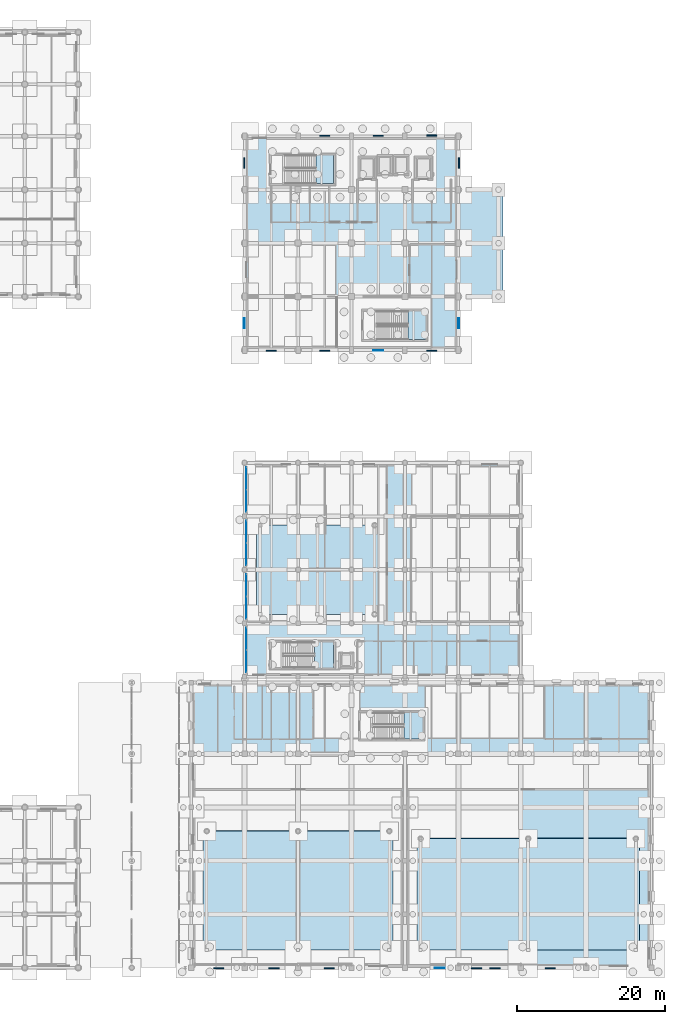
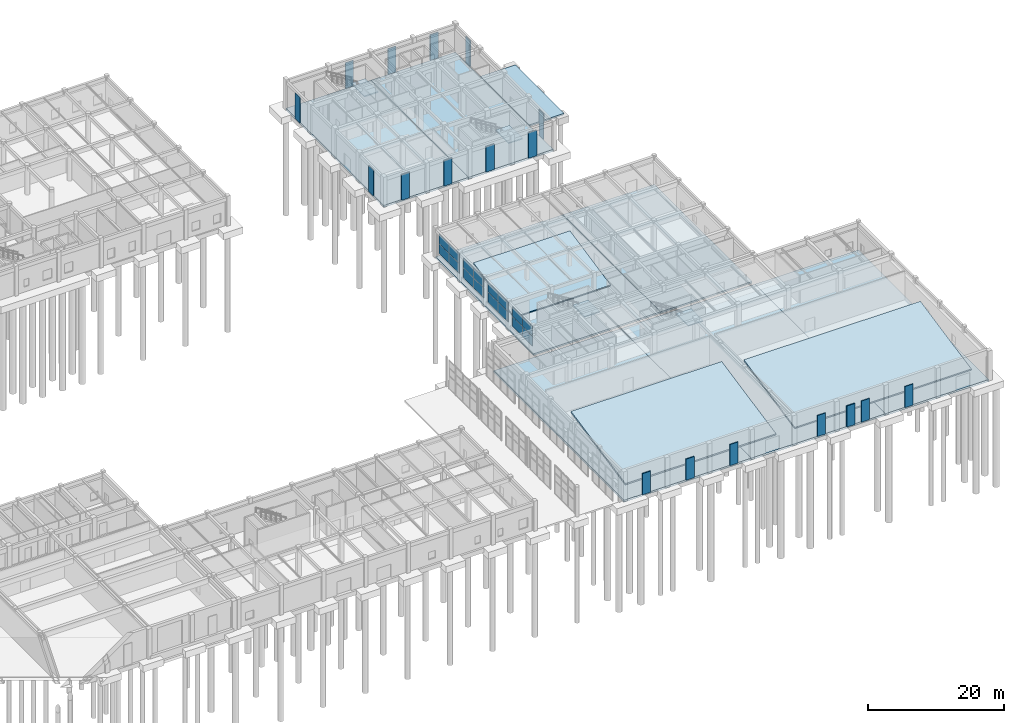
# One storey, part 60 of 91: 34 plates, 15 slabs, 8 elements without a shape of their own.
"""IFC4 building model written with IfcOpenShell, lengths in metres."""

from ifc_helpers import new_model, si_unit, direction, frame, origin, origin_2d, place, context, subcontext, project, spatial, polyline, rectangle, outline, extrude, material, layer, layer_set, type_object, element, aggregate, save


model = new_model("IFC4")

# Units and contexts
model_context = context("Model", 3, precision=1e-05, world=origin(), true_north=direction((0.0, 1.0)))
body_context = subcontext(model_context, "Body", "Model", "MODEL_VIEW")
ifc_project = project(units=[si_unit("LENGTHUNIT", "METRE"), si_unit("AREAUNIT", "SQUARE_METRE"), si_unit("VOLUMEUNIT", "CUBIC_METRE"), si_unit("PLANEANGLEUNIT", "RADIAN"), si_unit("MASSUNIT", "GRAM", prefix="KILO")], contexts=[model_context])

# Site, building, storey
site_placement = place(None, origin())
site = spatial("IfcSite", under=ifc_project, at=site_placement, CompositionType="ELEMENT")
building_placement = place(site_placement, origin())
building = spatial("IfcBuilding", under=site, at=building_placement, Name="Bramveld Media Centre", CompositionType="ELEMENT")
storey_placement = place(building_placement, origin())
storey = spatial("IfcBuildingStorey", under=building, at=storey_placement, Name="L00", CompositionType="ELEMENT", Elevation=0.0)

# Curtain wall, plates
ifc_material_1 = material(Name="Thermally broken anodized bronze aluminium unitized curtain wall with solar-control triple glazing", Category="aluminium")
curtain_wall_type = type_object("IfcCurtainWallType", Name="CW-FACV4-6100x3690", PredefinedType="NOTDEFINED", material=ifc_material_1)
curtain_wall_1_placement = place(storey_placement, origin())
curtain_wall_1 = element("IfcCurtainWall", 1, at=curtain_wall_1_placement, inside=storey, type_object=curtain_wall_type, Name="V4 L00 W curtain wall bay 1", PredefinedType="NOTDEFINED")
ifc_material_2 = material(Name="Solar-control triple insulating safety glass unit", Category="glass")
ifc_layer_1 = layer(ifc_material_2, 0.028076171875)
ifc_layer_set_1 = layer_set([ifc_layer_1], Name="Solar-control triple insulating safety glass unit")
plate_type_1 = type_object("IfcPlateType", Name="CW-PAN-EXT", PredefinedType="CURTAIN_PANEL", material=ifc_layer_set_1)
plate_1_placement = place(storey_placement, frame((131.429931640625, 41.2900390625, 0.91015625), z_axis=(0.0, 0.0, 1.0), x_axis=(0.0, 1.0, 0.0)))
plate_1 = element("IfcPlate", 2, at=plate_1_placement, type_object=plate_type_1, Name="CW-FA-6136 panel 1.1", PredefinedType="CURTAIN_PANEL", context=body_context, shape_type="SweptSolid", body=[
    extrude(rectangle(XDim=2.9599609375, YDim=0.028076171875, at=origin_2d()), origin(), (0.0, 0.0, 1.0), 1.7548828125),
])
plate_2_placement = place(storey_placement, frame((131.429931640625, 41.2900390625, 2.72509765625), z_axis=(0.0, 0.0, 1.0), x_axis=(0.0, 1.0, 0.0)))
plate_2 = element("IfcPlate", 3, at=plate_2_placement, type_object=plate_type_1, Name="CW-FA-6136 panel 1.2", PredefinedType="CURTAIN_PANEL", context=body_context, shape_type="SweptSolid", body=[
    extrude(rectangle(XDim=2.9599609375, YDim=0.028076171875, at=origin_2d()), origin(), (0.0, 0.0, 1.0), 1.7548828125),
])
plate_3_placement = place(storey_placement, frame((131.429931640625, 44.31005859375, 0.91015625), z_axis=(0.0, 0.0, 1.0), x_axis=(0.0, 1.0, 0.0)))
plate_3 = element("IfcPlate", 4, at=plate_3_placement, type_object=plate_type_1, Name="CW-FA-6136 panel 2.1", PredefinedType="CURTAIN_PANEL", context=body_context, shape_type="SweptSolid", body=[
    extrude(rectangle(XDim=2.9599609375, YDim=0.028076171875, at=origin_2d()), origin(), (0.0, 0.0, 1.0), 1.7548828125),
])
plate_4_placement = place(storey_placement, frame((131.429931640625, 44.31005859375, 2.72509765625), z_axis=(0.0, 0.0, 1.0), x_axis=(0.0, 1.0, 0.0)))
plate_4 = element("IfcPlate", 5, at=plate_4_placement, type_object=plate_type_1, Name="CW-FA-6136 panel 2.2", PredefinedType="CURTAIN_PANEL", context=body_context, shape_type="SweptSolid", body=[
    extrude(rectangle(XDim=2.9599609375, YDim=0.028076171875, at=origin_2d()), origin(), (0.0, 0.0, 1.0), 1.7548828125),
])
aggregate(curtain_wall_1, [plate_1, plate_2, plate_3, plate_4])

curtain_wall_2_placement = place(storey_placement, origin())
curtain_wall_2 = element("IfcCurtainWall", 6, at=curtain_wall_2_placement, inside=storey, type_object=curtain_wall_type, Name="V4 L00 W curtain wall bay 2", PredefinedType="NOTDEFINED")
plate_5_placement = place(storey_placement, frame((131.429931640625, 48.489990234375, 0.91015625), z_axis=(0.0, 0.0, 1.0), x_axis=(0.0, 1.0, 0.0)))
plate_5 = element("IfcPlate", 7, at=plate_5_placement, type_object=plate_type_1, Name="CW-FA-6136 panel 1.1", PredefinedType="CURTAIN_PANEL", context=body_context, shape_type="SweptSolid", body=[
    extrude(rectangle(XDim=2.9599609375, YDim=0.028076171875, at=origin_2d()), origin(), (0.0, 0.0, 1.0), 1.7548828125),
])
plate_6_placement = place(storey_placement, frame((131.429931640625, 48.489990234375, 2.72509765625), z_axis=(0.0, 0.0, 1.0), x_axis=(0.0, 1.0, 0.0)))
plate_6 = element("IfcPlate", 8, at=plate_6_placement, type_object=plate_type_1, Name="CW-FA-6136 panel 1.2", PredefinedType="CURTAIN_PANEL", context=body_context, shape_type="SweptSolid", body=[
    extrude(rectangle(XDim=2.9599609375, YDim=0.028076171875, at=origin_2d()), origin(), (0.0, 0.0, 1.0), 1.7548828125),
])
plate_7_placement = place(storey_placement, frame((131.429931640625, 51.510009765625, 0.91015625), z_axis=(0.0, 0.0, 1.0), x_axis=(0.0, 1.0, 0.0)))
plate_7 = element("IfcPlate", 9, at=plate_7_placement, type_object=plate_type_1, Name="CW-FA-6136 panel 2.1", PredefinedType="CURTAIN_PANEL", context=body_context, shape_type="SweptSolid", body=[
    extrude(rectangle(XDim=2.9599609375, YDim=0.028076171875, at=origin_2d()), origin(), (0.0, 0.0, 1.0), 1.7548828125),
])
plate_8_placement = place(storey_placement, frame((131.429931640625, 51.510009765625, 2.72509765625), z_axis=(0.0, 0.0, 1.0), x_axis=(0.0, 1.0, 0.0)))
plate_8 = element("IfcPlate", 10, at=plate_8_placement, type_object=plate_type_1, Name="CW-FA-6136 panel 2.2", PredefinedType="CURTAIN_PANEL", context=body_context, shape_type="SweptSolid", body=[
    extrude(rectangle(XDim=2.9599609375, YDim=0.028076171875, at=origin_2d()), origin(), (0.0, 0.0, 1.0), 1.7548828125),
])
aggregate(curtain_wall_2, [plate_5, plate_6, plate_7, plate_8])

curtain_wall_3_placement = place(storey_placement, origin())
curtain_wall_3 = element("IfcCurtainWall", 11, at=curtain_wall_3_placement, inside=storey, type_object=curtain_wall_type, Name="V4 L00 W curtain wall bay 3", PredefinedType="NOTDEFINED")
plate_9_placement = place(storey_placement, frame((131.429931640625, 55.68994140625, 0.91015625), z_axis=(0.0, 0.0, 1.0), x_axis=(0.0, 1.0, 0.0)))
plate_9 = element("IfcPlate", 12, at=plate_9_placement, type_object=plate_type_1, Name="CW-FA-6136 panel 1.1", PredefinedType="CURTAIN_PANEL", context=body_context, shape_type="SweptSolid", body=[
    extrude(rectangle(XDim=2.9599609375, YDim=0.028076171875, at=origin_2d()), origin(), (0.0, 0.0, 1.0), 1.7548828125),
])
plate_10_placement = place(storey_placement, frame((131.429931640625, 55.68994140625, 2.72509765625), z_axis=(0.0, 0.0, 1.0), x_axis=(0.0, 1.0, 0.0)))
plate_10 = element("IfcPlate", 13, at=plate_10_placement, type_object=plate_type_1, Name="CW-FA-6136 panel 1.2", PredefinedType="CURTAIN_PANEL", context=body_context, shape_type="SweptSolid", body=[
    extrude(rectangle(XDim=2.9599609375, YDim=0.028076171875, at=origin_2d()), origin(), (0.0, 0.0, 1.0), 1.7548828125),
])
plate_11_placement = place(storey_placement, frame((131.429931640625, 58.7099609375, 0.91015625), z_axis=(0.0, 0.0, 1.0), x_axis=(0.0, 1.0, 0.0)))
plate_11 = element("IfcPlate", 14, at=plate_11_placement, type_object=plate_type_1, Name="CW-FA-6136 panel 2.1", PredefinedType="CURTAIN_PANEL", context=body_context, shape_type="SweptSolid", body=[
    extrude(rectangle(XDim=2.9599609375, YDim=0.028076171875, at=origin_2d()), origin(), (0.0, 0.0, 1.0), 1.7548828125),
])
plate_12_placement = place(storey_placement, frame((131.429931640625, 58.7099609375, 2.72509765625), z_axis=(0.0, 0.0, 1.0), x_axis=(0.0, 1.0, 0.0)))
plate_12 = element("IfcPlate", 15, at=plate_12_placement, type_object=plate_type_1, Name="CW-FA-6136 panel 2.2", PredefinedType="CURTAIN_PANEL", context=body_context, shape_type="SweptSolid", body=[
    extrude(rectangle(XDim=2.9599609375, YDim=0.028076171875, at=origin_2d()), origin(), (0.0, 0.0, 1.0), 1.7548828125),
])
aggregate(curtain_wall_3, [plate_9, plate_10, plate_11, plate_12])

curtain_wall_4_placement = place(storey_placement, origin())
curtain_wall_4 = element("IfcCurtainWall", 16, at=curtain_wall_4_placement, inside=storey, type_object=curtain_wall_type, Name="V4 L00 W curtain wall bay 4", PredefinedType="NOTDEFINED")
plate_13_placement = place(storey_placement, frame((131.429931640625, 62.889892578125, 0.91015625), z_axis=(0.0, 0.0, 1.0), x_axis=(0.0, 1.0, 0.0)))
plate_13 = element("IfcPlate", 17, at=plate_13_placement, type_object=plate_type_1, Name="CW-FA-6136 panel 1.1", PredefinedType="CURTAIN_PANEL", context=body_context, shape_type="SweptSolid", body=[
    extrude(rectangle(XDim=2.9599609375, YDim=0.028076171875, at=origin_2d()), origin(), (0.0, 0.0, 1.0), 1.7548828125),
])
plate_14_placement = place(storey_placement, frame((131.429931640625, 62.889892578125, 2.72509765625), z_axis=(0.0, 0.0, 1.0), x_axis=(0.0, 1.0, 0.0)))
plate_14 = element("IfcPlate", 18, at=plate_14_placement, type_object=plate_type_1, Name="CW-FA-6136 panel 1.2", PredefinedType="CURTAIN_PANEL", context=body_context, shape_type="SweptSolid", body=[
    extrude(rectangle(XDim=2.9599609375, YDim=0.028076171875, at=origin_2d()), origin(), (0.0, 0.0, 1.0), 1.7548828125),
])
plate_15_placement = place(storey_placement, frame((131.429931640625, 65.909912109375, 0.91015625), z_axis=(0.0, 0.0, 1.0), x_axis=(0.0, 1.0, 0.0)))
plate_15 = element("IfcPlate", 19, at=plate_15_placement, type_object=plate_type_1, Name="CW-FA-6136 panel 2.1", PredefinedType="CURTAIN_PANEL", context=body_context, shape_type="SweptSolid", body=[
    extrude(rectangle(XDim=2.9599609375, YDim=0.028076171875, at=origin_2d()), origin(), (0.0, 0.0, 1.0), 1.7548828125),
])
plate_16_placement = place(storey_placement, frame((131.429931640625, 65.909912109375, 2.72509765625), z_axis=(0.0, 0.0, 1.0), x_axis=(0.0, 1.0, 0.0)))
plate_16 = element("IfcPlate", 20, at=plate_16_placement, type_object=plate_type_1, Name="CW-FA-6136 panel 2.2", PredefinedType="CURTAIN_PANEL", context=body_context, shape_type="SweptSolid", body=[
    extrude(rectangle(XDim=2.9599609375, YDim=0.028076171875, at=origin_2d()), origin(), (0.0, 0.0, 1.0), 1.7548828125),
])
aggregate(curtain_wall_4, [plate_13, plate_14, plate_15, plate_16])

# Plates
ifc_material_3 = material(Name="Perforated Flemish red-brown clay brick claustra screen on stainless steel ties", Category="masonry")
ifc_layer_2 = layer(ifc_material_3, 0.114990234375)
ifc_layer_set_2 = layer_set([ifc_layer_2], Name="Perforated Flemish red-brown clay brick claustra screen on stainless steel ties")
plate_type_2 = type_object("IfcPlateType", Name="PLT-CLAUSTRA-115", PredefinedType="USERDEFINED", material=ifc_layer_set_2)
plate_17_placement = place(storey_placement, frame((157.47998046875, -0.03759765625, 0.0), z_axis=(0.0, 0.0, 1.0), x_axis=(1.0, 0.0, 0.0)))
element("IfcPlate", 21, at=plate_17_placement, inside=storey, type_object=plate_type_2, Name="Perforated Flemish brick claustra screen 4", ObjectType="CLAUSTRA_PANEL", PredefinedType="USERDEFINED", context=body_context, shape_type="SweptSolid", body=[
    extrude(rectangle(XDim=1.39208984375, YDim=0.114990234375, at=origin_2d()), origin(), (0.0, 0.0, 1.0), 3.800048828125),
])
for number, where, z_axis, x_axis, name in (
    (22, (149.199951171875, 83.142578125, 0.0), (0.0, 0.0, 1.0), (1.0, 0.0, 0.0), "Perforated Flemish brick claustra screen 16"),
    (23, (160.0576171875, 86.800048828125, 0.0), (0.0, 0.0, 1.0), (0.0, 1.0, 0.0), "Perforated Flemish brick claustra screen 20"),
    (24, (131.142578125, 86.800048828125, 0.0), (0.0, 0.0, 1.0), (0.0, 1.0, 0.0), "Perforated Flemish brick claustra screen 24"),
):
    element("IfcPlate", number, at=place(storey_placement, frame(where, z_axis=z_axis, x_axis=x_axis)), inside=storey, type_object=plate_type_2, Name=name, ObjectType="CLAUSTRA_PANEL", PredefinedType="USERDEFINED", context=body_context, shape_type="SweptSolid", body=[
        extrude(rectangle(XDim=1.39208984375, YDim=0.114990234375, at=origin_2d()), origin(), (0.0, 0.0, 1.0), 4.60009765625),
    ])
ifc_material_4 = material(Name="Perforated Flemish red-brown clay brick claustra screen on stainless steel ties", Category="masonry")
ifc_layer_3 = layer(ifc_material_4, 0.135009765625)
ifc_layer_set_3 = layer_set([ifc_layer_3], Name="Perforated Flemish red-brown clay brick claustra screen on stainless steel ties")
plate_type_3 = type_object("IfcPlateType", Name="PLT-CLAUSTRA-135", PredefinedType="USERDEFINED", material=ifc_layer_set_3)
for number, where, z_axis, x_axis, name in (
    (25, (172.360107421875, -0.047607421875, 0.0), (0.0, 0.0, 1.0), (1.0, 0.0, 0.0), "Perforated Flemish brick claustra screen 1"),
    (26, (142.60009765625, -0.047607421875, 0.0), (0.0, 0.0, 1.0), (1.0, 0.0, 0.0), "Perforated Flemish brick claustra screen 5"),
):
    element("IfcPlate", number, at=place(storey_placement, frame(where, z_axis=z_axis, x_axis=x_axis)), inside=storey, type_object=plate_type_3, Name=name, ObjectType="CLAUSTRA_PANEL", PredefinedType="USERDEFINED", context=body_context, shape_type="SweptSolid", body=[
        extrude(rectangle(XDim=1.39208984375, YDim=0.135009765625, at=origin_2d()), origin(), (0.0, 0.0, 1.0), 3.800048828125),
    ])
for number, where, z_axis, x_axis, name in (
    (27, (142.0, 83.132568359375, 0.0), (0.0, 0.0, 1.0), (1.0, 0.0, 0.0), "Perforated Flemish brick claustra screen 17"),
    (28, (142.0, 112.0673828125, 0.0), (0.0, 0.0, 1.0), (1.0, 0.0, 0.0), "Perforated Flemish brick claustra screen 21"),
    (29, (131.132568359375, 108.39990234375, 0.0), (0.0, 0.0, 1.0), (0.0, 1.0, 0.0), "Perforated Flemish brick claustra screen 25"),
):
    element("IfcPlate", number, at=place(storey_placement, frame(where, z_axis=z_axis, x_axis=x_axis)), inside=storey, type_object=plate_type_3, Name=name, ObjectType="CLAUSTRA_PANEL", PredefinedType="USERDEFINED", context=body_context, shape_type="SweptSolid", body=[
        extrude(rectangle(XDim=1.39208984375, YDim=0.135009765625, at=origin_2d()), origin(), (0.0, 0.0, 1.0), 4.60009765625),
    ])
ifc_material_5 = material(Name="Perforated Flemish red-brown clay brick claustra screen on stainless steel ties", Category="masonry")
ifc_layer_4 = layer(ifc_material_5, 0.155029296875)
ifc_layer_set_4 = layer_set([ifc_layer_4], Name="Perforated Flemish red-brown clay brick claustra screen on stainless steel ties")
plate_type_4 = type_object("IfcPlateType", Name="PLT-CLAUSTRA-155", PredefinedType="USERDEFINED", material=ifc_layer_set_4)
for number, where, z_axis, x_axis, name in (
    (30, (164.919921875, -0.0576171875, 0.0), (0.0, 0.0, 1.0), (1.0, 0.0, 0.0), "Perforated Flemish brick claustra screen 2"),
    (31, (135.159912109375, -0.0576171875, 0.0), (0.0, 0.0, 1.0), (1.0, 0.0, 0.0), "Perforated Flemish brick claustra screen 6"),
):
    element("IfcPlate", number, at=place(storey_placement, frame(where, z_axis=z_axis, x_axis=x_axis)), inside=storey, type_object=plate_type_4, Name=name, ObjectType="CLAUSTRA_PANEL", PredefinedType="USERDEFINED", context=body_context, shape_type="SweptSolid", body=[
        extrude(rectangle(XDim=1.39208984375, YDim=0.155029296875, at=origin_2d()), origin(), (0.0, 0.0, 1.0), 3.800048828125),
    ])
for number, where, z_axis, x_axis, name in (
    (32, (134.800048828125, 83.12255859375, 0.0), (0.0, 0.0, 1.0), (1.0, 0.0, 0.0), "Perforated Flemish brick claustra screen 18"),
    (33, (149.199951171875, 112.077392578125, 0.0), (0.0, 0.0, 1.0), (1.0, 0.0, 0.0), "Perforated Flemish brick claustra screen 22"),
):
    element("IfcPlate", number, at=place(storey_placement, frame(where, z_axis=z_axis, x_axis=x_axis)), inside=storey, type_object=plate_type_4, Name=name, ObjectType="CLAUSTRA_PANEL", PredefinedType="USERDEFINED", context=body_context, shape_type="SweptSolid", body=[
        extrude(rectangle(XDim=1.39208984375, YDim=0.155029296875, at=origin_2d()), origin(), (0.0, 0.0, 1.0), 4.60009765625),
    ])
ifc_material_6 = material(Name="Perforated Flemish red-brown clay brick claustra screen on stainless steel ties", Category="masonry")
ifc_layer_5 = layer(ifc_material_6, 0.175048828125)
ifc_layer_set_5 = layer_set([ifc_layer_5], Name="Perforated Flemish red-brown clay brick claustra screen on stainless steel ties")
plate_type_5 = type_object("IfcPlateType", Name="PLT-CLAUSTRA-175", PredefinedType="USERDEFINED", material=ifc_layer_set_5)
for number, where, z_axis, x_axis, name in (
    (34, (162.43994140625, -0.0673828125, 0.0), (0.0, 0.0, 1.0), (1.0, 0.0, 0.0), "Perforated Flemish brick claustra screen 3"),
    (35, (127.719970703125, -0.0673828125, 0.0), (0.0, 0.0, 1.0), (1.0, 0.0, 0.0), "Perforated Flemish brick claustra screen 7"),
):
    element("IfcPlate", number, at=place(storey_placement, frame(where, z_axis=z_axis, x_axis=x_axis)), inside=storey, type_object=plate_type_5, Name=name, ObjectType="CLAUSTRA_PANEL", PredefinedType="USERDEFINED", context=body_context, shape_type="SweptSolid", body=[
        extrude(rectangle(XDim=1.39208984375, YDim=0.175048828125, at=origin_2d()), origin(), (0.0, 0.0, 1.0), 3.800048828125),
    ])
for number, where, z_axis, x_axis, name in (
    (36, (156.39990234375, 83.112548828125, 0.0), (0.0, 0.0, 1.0), (1.0, 0.0, 0.0), "Perforated Flemish brick claustra screen 15"),
    (37, (160.08740234375, 108.39990234375, 0.0), (0.0, 0.0, 1.0), (0.0, 1.0, 0.0), "Perforated Flemish brick claustra screen 19"),
    (38, (156.39990234375, 112.08740234375, 0.0), (0.0, 0.0, 1.0), (1.0, 0.0, 0.0), "Perforated Flemish brick claustra screen 23"),
):
    element("IfcPlate", number, at=place(storey_placement, frame(where, z_axis=z_axis, x_axis=x_axis)), inside=storey, type_object=plate_type_5, Name=name, ObjectType="CLAUSTRA_PANEL", PredefinedType="USERDEFINED", context=body_context, shape_type="SweptSolid", body=[
        extrude(rectangle(XDim=1.39208984375, YDim=0.175048828125, at=origin_2d()), origin(), (0.0, 0.0, 1.0), 4.60009765625),
    ])

# Slabs
ifc_material_7 = material(Name="Concrete C35/45", Category="concrete")
ifc_layer_6 = layer(ifc_material_7, 0.280029296875)
ifc_layer_set_6 = layer_set([ifc_layer_6], Name="Concrete C35/45")
slab_type_1 = type_object("IfcSlabType", Name="SLAB-BASESLAB-EXT-280", PredefinedType="BASESLAB", material=ifc_layer_set_6)
slab_1_placement = place(storey_placement, frame((0.0, 0.0, -0.280029296875)))
element("IfcSlab", 39, at=slab_1_placement, inside=storey, type_object=slab_type_1, Name="East Media Plaza Forecourt", PredefinedType="BASESLAB", context=body_context, shape_type="SweptSolid", body=[
    extrude(outline(polyline([(160.0, 90.39990234375), (166.0, 90.39990234375), (166.0, 104.800048828125), (160.0, 104.800048828125), (160.0, 90.39990234375)])), origin(), (0.0, 0.0, 1.0), 0.280029296875),
])
ifc_material_8 = material(Name="Concrete C35/45", Category="concrete")
ifc_layer_7 = layer(ifc_material_8, 0.300048828125)
ifc_layer_set_7 = layer_set([ifc_layer_7], Name="Concrete C35/45")
slab_type_2 = type_object("IfcSlabType", Name="SLAB-BASESLAB-INT-300", PredefinedType="BASESLAB", material=ifc_layer_set_7)
slab_2_placement = place(storey_placement, frame((0.0, 0.0, -0.300048828125)))
element("IfcSlab", 40, at=slab_2_placement, inside=storey, type_object=slab_type_2, Name="V4 L00 structural slab 1", PredefinedType="BASESLAB", context=body_context, shape_type="SweptSolid", body=[
    extrude(outline(polyline([(131.199951171875, 39.199951171875), (131.199951171875, 68.0), (152.800048828125, 68.0), (152.800048828125, 39.199951171875), (131.199951171875, 39.199951171875)])), origin(), (0.0, 0.0, 1.0), 0.300048828125),
])
slab_3_placement = place(storey_placement, frame((0.0, 0.0, -0.300048828125)))
element("IfcSlab", 41, at=slab_3_placement, inside=storey, type_object=slab_type_2, Name="V4 L00 structural slab 2", PredefinedType="BASESLAB", context=body_context, shape_type="SweptSolid", body=[
    extrude(outline(polyline([(168.39990234375, 68.0), (168.39990234375, 39.199951171875), (152.800048828125, 39.199951171875), (152.800048828125, 68.0), (168.39990234375, 68.0)])), origin(), (0.0, 0.0, 1.0), 0.300048828125),
])
ifc_material_9 = material(Name="Concrete C35/45", Category="concrete")
ifc_layer_8 = layer(ifc_material_9, 0.35009765625)
ifc_layer_set_8 = layer_set([ifc_layer_8], Name="Concrete C35/45")
slab_type_3 = type_object("IfcSlabType", Name="SLAB-BASESLAB-INT-350", PredefinedType="BASESLAB", material=ifc_layer_set_8)
slab_4_placement = place(storey_placement, frame((0.0, 0.0, -0.35009765625)))
element("IfcSlab", 42, at=slab_4_placement, inside=storey, type_object=slab_type_3, Name="V1 L00 structural slab 1", PredefinedType="BASESLAB", context=body_context, shape_type="SweptSolid", body=[
    extrude(outline(polyline([(124.0, 0.0), (124.0, 38.39990234375), (145.60009765625, 38.39990234375), (145.60009765625, 0.0), (124.0, 0.0)])), origin(), (0.0, 0.0, 1.0), 0.35009765625),
])
slab_5_placement = place(storey_placement, frame((0.0, 0.0, -0.35009765625)))
element("IfcSlab", 43, at=slab_5_placement, inside=storey, type_object=slab_type_3, Name="V1 L00 structural slab 2", PredefinedType="BASESLAB", context=body_context, shape_type="SweptSolid", body=[
    extrude(outline(polyline([(168.39990234375, 38.39990234375), (168.39990234375, 0.0), (145.60009765625, 0.0), (145.60009765625, 38.39990234375), (168.39990234375, 38.39990234375)])), origin(), (0.0, 0.0, 1.0), 0.35009765625),
])
slab_6_placement = place(storey_placement, frame((0.0, 0.0, -0.35009765625)))
element("IfcSlab", 44, at=slab_6_placement, inside=storey, type_object=slab_type_3, Name="V1 L00 structural slab 3", PredefinedType="BASESLAB", context=body_context, shape_type="SweptSolid", body=[
    extrude(outline(polyline([(186.0, 38.39990234375), (186.0, 0.0), (168.39990234375, 0.0), (168.39990234375, 38.39990234375), (186.0, 38.39990234375)])), origin(), (0.0, 0.0, 1.0), 0.35009765625),
])
ifc_material_10 = material(Name="Concrete C35/45", Category="concrete")
ifc_layer_9 = layer(ifc_material_10, 0.360107421875)
ifc_layer_set_9 = layer_set([ifc_layer_9], Name="Concrete C35/45")
slab_type_4 = type_object("IfcSlabType", Name="SLAB-BASESLAB-INT-360", PredefinedType="BASESLAB", material=ifc_layer_set_9)
slab_7_placement = place(storey_placement, frame((0.0, 0.0, -0.360107421875)))
element("IfcSlab", 45, at=slab_7_placement, inside=storey, type_object=slab_type_4, Name="V7 L00 structural slab 1", PredefinedType="BASESLAB", context=body_context, shape_type="SweptSolid", body=[
    extrude(outline(polyline([(131.199951171875, 83.199951171875), (131.199951171875, 112.0), (145.60009765625, 112.0), (145.60009765625, 83.199951171875), (131.199951171875, 83.199951171875)])), origin(), (0.0, 0.0, 1.0), 0.360107421875),
])
slab_8_placement = place(storey_placement, frame((0.0, 0.0, -0.360107421875)))
element("IfcSlab", 46, at=slab_8_placement, inside=storey, type_object=slab_type_4, Name="V7 L00 structural slab 2", PredefinedType="BASESLAB", context=body_context, shape_type="SweptSolid", body=[
    extrude(outline(polyline([(160.0, 112.0), (160.0, 83.199951171875), (145.60009765625, 83.199951171875), (145.60009765625, 112.0), (160.0, 112.0)])), origin(), (0.0, 0.0, 1.0), 0.360107421875),
])

# Stair, slab
ifc_material_11 = material(Name="Concrete C40/50", Category="concrete")
stair_type_1 = type_object("IfcStairType", Name="STAIR-ST-01-32R-1800", PredefinedType="HALF_TURN_STAIR", material=ifc_material_11)
stair_1_placement = place(storey_placement, origin())
stair_1 = element("IfcStair", 47, at=stair_1_placement, inside=storey, type_object=stair_type_1, Name="L00 Core A1 Pressurized Firefighting Stair", PredefinedType="HALF_TURN_STAIR")
ifc_material_12 = material(Name="Concrete C40/50", Category="concrete")
ifc_layer_10 = layer(ifc_material_12, 0.199951171875)
ifc_layer_set_10 = layer_set([ifc_layer_10], Name="Concrete C40/50")
slab_type_5 = type_object("IfcSlabType", Name="SLAB-STAIR-LAND-200", PredefinedType="LANDING", material=ifc_layer_set_10)
slab_9_placement = place(storey_placement, frame((0.0, 0.0, 2.5)))
slab_9 = element("IfcSlab", 48, at=slab_9_placement, type_object=slab_type_5, Name="ST-01 landing 1", PredefinedType="LANDING", context=body_context, shape_type="SweptSolid", body=[
    extrude(outline(polyline([(140.800048828125, 105.60009765625), (143.199951171875, 105.60009765625), (143.199951171875, 109.449951171875), (140.800048828125, 109.449951171875), (140.800048828125, 105.60009765625)])), origin(), (0.0, 0.0, 1.0), 0.199951171875),
])
aggregate(stair_1, [slab_9])

ifc_material_13 = material(Name="Concrete C40/50", Category="concrete")
stair_type_2 = type_object("IfcStairType", Name="STAIR-ST-02-32R-1800", PredefinedType="HALF_TURN_STAIR", material=ifc_material_13)
stair_2_placement = place(storey_placement, origin())
stair_2 = element("IfcStair", 49, at=stair_2_placement, inside=storey, type_object=stair_type_2, Name="L00 Core A2 Pressurized Escape Stair", PredefinedType="HALF_TURN_STAIR")
slab_10_placement = place(storey_placement, frame((0.0, 0.0, 2.5)))
slab_10 = element("IfcSlab", 50, at=slab_10_placement, type_object=slab_type_5, Name="ST-02 landing 1", PredefinedType="LANDING", context=body_context, shape_type="SweptSolid", body=[
    extrude(outline(polyline([(153.199951171875, 84.60009765625), (155.60009765625, 84.60009765625), (155.60009765625, 88.449951171875), (153.199951171875, 88.449951171875), (153.199951171875, 84.60009765625)])), origin(), (0.0, 0.0, 1.0), 0.199951171875),
])
aggregate(stair_2, [slab_10])

ifc_material_14 = material(Name="Concrete C40/50", Category="concrete")
stair_type_3 = type_object("IfcStairType", Name="STAIR-ST-03-32R-1650", PredefinedType="HALF_TURN_STAIR", material=ifc_material_14)
stair_3_placement = place(storey_placement, origin())
stair_3 = element("IfcStair", 51, at=stair_3_placement, inside=storey, type_object=stair_type_3, Name="L00 Grand Cinema Wing Escape Stair", PredefinedType="HALF_TURN_STAIR")
slab_11_placement = place(storey_placement, frame((0.0, 0.0, 2.5)))
slab_11 = element("IfcSlab", 52, at=slab_11_placement, type_object=slab_type_5, Name="ST-03 landing 1", PredefinedType="LANDING", context=body_context, shape_type="SweptSolid", body=[
    extrude(outline(polyline([(152.64990234375, 30.800048828125), (155.199951171875, 30.800048828125), (155.199951171875, 34.35009765625), (152.64990234375, 34.35009765625), (152.64990234375, 30.800048828125)])), origin(), (0.0, 0.0, 1.0), 0.199951171875),
])
aggregate(stair_3, [slab_11])

ifc_material_15 = material(Name="Concrete C40/50", Category="concrete")
stair_type_4 = type_object("IfcStairType", Name="STAIR-ST-08-32R-1600", PredefinedType="HALF_TURN_STAIR", material=ifc_material_15)
stair_4_placement = place(storey_placement, origin())
stair_4 = element("IfcStair", 53, at=stair_4_placement, inside=storey, type_object=stair_type_4, Name="L00 Post-Production & Education Wing Stair", PredefinedType="HALF_TURN_STAIR")
slab_12_placement = place(storey_placement, frame((0.0, 0.0, 2.5)))
slab_12 = element("IfcSlab", 54, at=slab_12_placement, type_object=slab_type_5, Name="ST-08 landing 1", PredefinedType="LANDING", context=body_context, shape_type="SweptSolid", body=[
    extrude(outline(polyline([(140.60009765625, 40.39990234375), (143.199951171875, 40.39990234375), (143.199951171875, 43.85009765625), (140.60009765625, 43.85009765625), (140.60009765625, 40.39990234375)])), origin(), (0.0, 0.0, 1.0), 0.199951171875),
])
aggregate(stair_4, [slab_12])

# Slabs
ifc_material_16 = material(Name="Concrete C40/50", Category="concrete")
ifc_layer_11 = layer(ifc_material_16, 0.219970703125)
ifc_layer_set_11 = layer_set([ifc_layer_11], Name="Concrete C40/50")
slab_type_6 = type_object("IfcSlabType", Name="SLAB-TIER-INT-220", PredefinedType="USERDEFINED", material=ifc_layer_set_11)
slab_13_placement = place(storey_placement, frame((132.800048828125, 47.60009765625, 0.97998046875), z_axis=(0.0, -0.201604565698, 0.979466997448), x_axis=(1.0, 0.0, 0.0)))
element("IfcSlab", 55, at=slab_13_placement, inside=storey, type_object=slab_type_6, Name="Screen 7 Raked Seating Slab", ObjectType="SEATING TIER", PredefinedType="USERDEFINED", context=body_context, shape_type="SweptSolid", body=[
    extrude(outline(polyline([(0.0, 0.0), (16.39990234375, 0.0), (16.39990234375, 12.251561340265813), (0.0, 12.251561340265813), (0.0, 0.0)])), origin(), (0.0, 0.0, -1.0), 0.219970703125),
])
ifc_material_17 = material(Name="Concrete C40/50", Category="concrete")
ifc_layer_12 = layer(ifc_material_17, 0.260009765625)
ifc_layer_set_12 = layer_set([ifc_layer_12], Name="Concrete C40/50")
slab_type_7 = type_object("IfcSlabType", Name="SLAB-TIER-INT-260", PredefinedType="USERDEFINED", material=ifc_layer_set_12)
slab_14_placement = place(storey_placement, frame((154.39990234375, 2.39990234375, 0.97998046875), z_axis=(0.0, -0.200514501664, 0.979690734172), x_axis=(1.0, 0.0, 0.0)))
element("IfcSlab", 56, at=slab_14_placement, inside=storey, type_object=slab_type_7, Name="Cinema 2 Raked Seating Slab", ObjectType="SEATING TIER", PredefinedType="USERDEFINED", context=body_context, shape_type="SweptSolid", body=[
    extrude(outline(polyline([(0.0, 0.0), (30.0, 0.0), (30.0, 15.310954239734226), (0.0, 15.310954239734226), (0.0, 0.0)])), origin(), (0.0, 0.0, -1.0), 0.260009765625),
])
ifc_material_18 = material(Name="Concrete C40/50", Category="concrete")
ifc_layer_13 = layer(ifc_material_18, 0.280029296875)
ifc_layer_set_13 = layer_set([ifc_layer_13], Name="Concrete C40/50")
slab_type_8 = type_object("IfcSlabType", Name="SLAB-TIER-INT-280", PredefinedType="USERDEFINED", material=ifc_layer_set_13)
slab_15_placement = place(storey_placement, frame((125.60009765625, 2.39990234375, 0.97998046875), z_axis=(0.0, -0.200237085638, 0.979747472329), x_axis=(1.0, 0.0, 0.0)))
element("IfcSlab", 57, at=slab_15_placement, inside=storey, type_object=slab_type_8, Name="Cinema 1 Raked Seating Slab", ObjectType="SEATING TIER", PredefinedType="USERDEFINED", context=body_context, shape_type="SweptSolid", body=[
    extrude(outline(polyline([(0.0, 0.0), (25.599853515625, 0.0), (25.599853515625, 16.330738738181946), (0.0, 16.330738738181946), (0.0, 0.0)])), origin(), (0.0, 0.0, -1.0), 0.280029296875),
])

save(model, "model.ifc")
